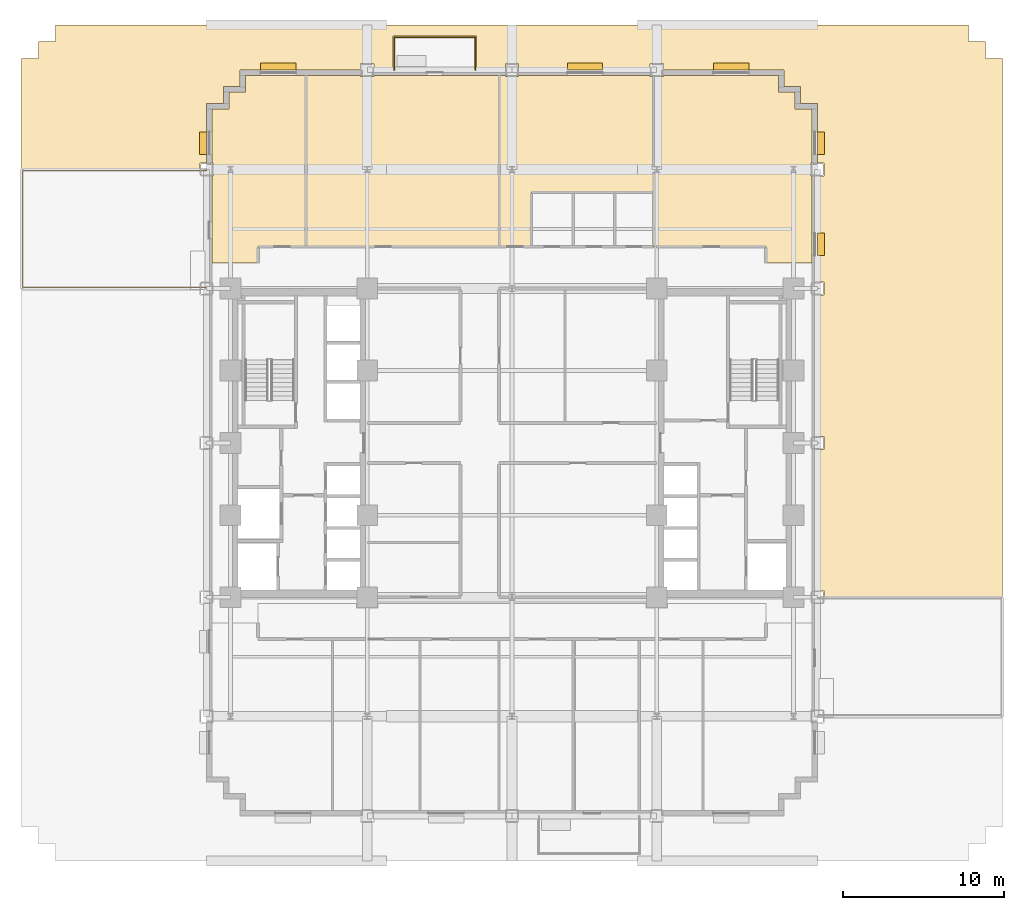
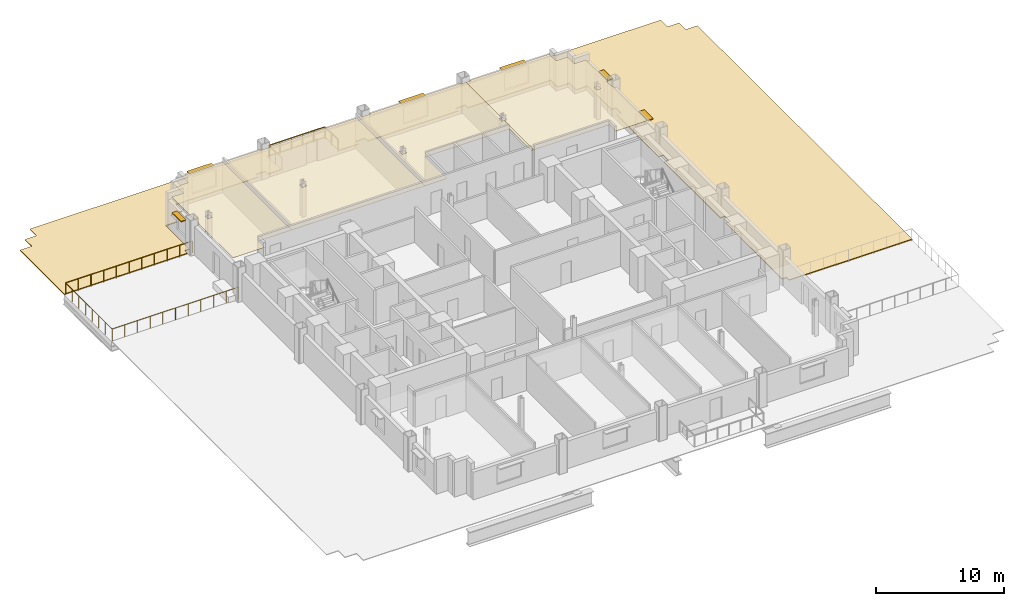
# One storey, part 13 of 13: 6 shading devices, 5 coverings, 2 railings.
"""IFC4 building model written with IfcOpenShell, lengths in metres."""

from ifc_helpers import new_model, si_unit, direction, frame, origin, origin_2d, place, context, subcontext, project, spatial, polyline, rectangle, circle, outline, extrude, source, transform, mapped, material, layer, layer_set, type_object, type_shapes, element, save


model = new_model("IFC4")

# Units and contexts
model_context = context("Model", 3, precision=1e-05, world=origin(), true_north=direction((0.0, 1.0)))
body_context = subcontext(model_context, "Body", "Model", "MODEL_VIEW")
ifc_project = project(units=[si_unit("LENGTHUNIT", "METRE"), si_unit("AREAUNIT", "SQUARE_METRE"), si_unit("VOLUMEUNIT", "CUBIC_METRE"), si_unit("PLANEANGLEUNIT", "RADIAN"), si_unit("MASSUNIT", "GRAM", prefix="KILO")], contexts=[model_context])

# Site, building, storey
site_placement = place(None, origin())
site = spatial("IfcSite", under=ifc_project, at=site_placement, CompositionType="ELEMENT")
building_placement = place(site_placement, origin())
building = spatial("IfcBuilding", under=site, at=building_placement, Name="Nuvemarco Arch Tower", CompositionType="ELEMENT")
storey_placement = place(building_placement, frame((0.0, 0.0, 27.60009765625)))
storey = spatial("IfcBuildingStorey", under=building, at=storey_placement, Name="L06", CompositionType="ELEMENT", Elevation=27.60009765625)

# Coverings
ifc_material_1 = material(Name="Mineral acoustic ceiling tile")
ifc_layer_1 = layer(ifc_material_1, 0.0400390625, Name="COV-ACOUSTIC-CLG")
ifc_layer_set_1 = layer_set([ifc_layer_1], Name="Mineral acoustic ceiling tile")
covering_type_1 = type_object("IfcCoveringType", Name="COV-ACOUSTIC-CLG", PredefinedType="CEILING", material=ifc_layer_set_1)
covering_1_placement = place(storey_placement, frame((0.0, 0.0, 2.849853515625)))
element("IfcCovering", 1, at=covering_1_placement, inside=storey, type_object=covering_type_1, Name="L06 suspended acoustic ceiling 1", PredefinedType="CEILING", context=body_context, shape_type="SweptSolid", body=[
    extrude(outline(polyline([(-9.4150390625, 22.784912109375), (-8.5849609375, 22.784912109375), (-8.5849609375, 22.860107421875), (-0.800048828125, 22.860107421875), (-0.800048828125, 12.199951171875), (-3.199951171875, 12.199951171875), (-12.81005859375, 12.199951171875), (-12.81005859375, 22.860107421875), (-9.4150390625, 22.860107421875), (-9.4150390625, 22.784912109375)]), holes=[polyline([(-8.804931640625, 16.804931640625), (-8.804931640625, 17.195068359375), (-9.195068359375, 17.195068359375), (-9.195068359375, 16.804931640625), (-8.804931640625, 16.804931640625)])]), origin(), (0.0, 0.0, 1.0), 0.0400390625),
])
covering_2_placement = place(storey_placement, frame((0.0, 0.0, 2.849853515625)))
element("IfcCovering", 2, at=covering_2_placement, inside=storey, type_object=covering_type_1, Name="L06 suspended acoustic ceiling 2", PredefinedType="CEILING", context=body_context, shape_type="SweptSolid", body=[
    extrude(outline(polyline([(18.659912109375, 20.760009765625), (18.659912109375, 17.4150390625), (18.5849609375, 17.4150390625), (18.5849609375, 16.5849609375), (18.659912109375, 16.5849609375), (18.659912109375, 11.199951171875), (15.800048828125, 11.199951171875), (15.800048828125, 12.199951171875), (9.0, 12.199951171875), (9.0, 16.804931640625), (9.195068359375, 16.804931640625), (9.195068359375, 17.195068359375), (9.0, 17.195068359375), (9.0, 22.784912109375), (9.4150390625, 22.784912109375), (9.4150390625, 22.860107421875), (16.56005859375, 22.860107421875), (16.56005859375, 21.81005859375), (17.610107421875, 21.81005859375), (17.610107421875, 20.760009765625), (18.659912109375, 20.760009765625)]), holes=[polyline([(17.695068359375, 16.804931640625), (17.695068359375, 17.195068359375), (17.304931640625, 17.195068359375), (17.304931640625, 16.804931640625), (17.695068359375, 16.804931640625)])]), origin(), (0.0, 0.0, 1.0), 0.0400390625),
])
covering_3_placement = place(storey_placement, frame((0.0, 0.0, 2.849853515625)))
element("IfcCovering", 3, at=covering_3_placement, inside=storey, type_object=covering_type_1, Name="L06 suspended acoustic ceiling 4", PredefinedType="CEILING", context=body_context, shape_type="SweptSolid", body=[
    extrude(outline(polyline([(1.199951171875, 15.60009765625), (1.199951171875, 12.199951171875), (-0.800048828125, 12.199951171875), (-0.800048828125, 22.860107421875), (-0.4150390625, 22.860107421875), (-0.4150390625, 22.784912109375), (0.4150390625, 22.784912109375), (0.4150390625, 22.860107421875), (8.5849609375, 22.860107421875), (8.5849609375, 22.784912109375), (9.0, 22.784912109375), (9.0, 17.195068359375), (8.804931640625, 17.195068359375), (8.804931640625, 16.804931640625), (9.0, 16.804931640625), (9.0, 12.199951171875), (8.800048828125, 12.199951171875), (8.800048828125, 15.60009765625), (6.39990234375, 15.60009765625), (3.800048828125, 15.60009765625), (1.199951171875, 15.60009765625)]), holes=[polyline([(0.195068359375, 16.804931640625), (0.195068359375, 17.195068359375), (-0.195068359375, 17.195068359375), (-0.195068359375, 16.804931640625), (0.195068359375, 16.804931640625)])]), origin(), (0.0, 0.0, 1.0), 0.0400390625),
])
covering_4_placement = place(storey_placement, frame((0.0, 0.0, 2.849853515625)))
element("IfcCovering", 4, at=covering_4_placement, inside=storey, type_object=covering_type_1, Name="L06 suspended acoustic ceiling 6", PredefinedType="CEILING", context=body_context, shape_type="SweptSolid", body=[
    extrude(outline(polyline([(-18.5849609375, 16.5849609375), (-18.5849609375, 17.4150390625), (-18.659912109375, 17.4150390625), (-18.659912109375, 20.760009765625), (-17.610107421875, 20.760009765625), (-17.610107421875, 21.81005859375), (-16.56005859375, 21.81005859375), (-16.56005859375, 22.860107421875), (-12.81005859375, 22.860107421875), (-12.81005859375, 12.199951171875), (-15.800048828125, 12.199951171875), (-15.800048828125, 11.199951171875), (-18.659912109375, 11.199951171875), (-18.659912109375, 16.5849609375), (-18.5849609375, 16.5849609375)]), holes=[polyline([(-17.304931640625, 16.804931640625), (-17.304931640625, 17.195068359375), (-17.695068359375, 17.195068359375), (-17.695068359375, 16.804931640625), (-17.304931640625, 16.804931640625)])]), origin(), (0.0, 0.0, 1.0), 0.0400390625),
])
ifc_material_2 = material(Name="Elastomeric roofing membrane and insulation")
ifc_layer_2 = layer(ifc_material_2, 0.080078125, Name="COV-ROOF-MEMB")
ifc_layer_set_2 = layer_set([ifc_layer_2], Name="Elastomeric roofing membrane and insulation")
covering_type_2 = type_object("IfcCoveringType", Name="COV-ROOF-MEMB", PredefinedType="ROOFING", material=ifc_layer_set_2)
covering_5_placement = place(storey_placement, origin())
element("IfcCovering", 5, at=covering_5_placement, inside=storey, type_object=covering_type_2, Name="L06 setback roof elastomeric membrane and insulation 1", PredefinedType="ROOFING", context=body_context, shape_type="SweptSolid", body=[
    extrude(outline(polyline([(-30.5, 23.89990234375), (-29.449951171875, 23.89990234375), (-29.449951171875, 24.949951171875), (-28.39990234375, 24.949951171875), (-28.39990234375, 26.0), (28.39990234375, 26.0), (28.39990234375, 24.949951171875), (29.449951171875, 24.949951171875), (29.449951171875, 23.89990234375), (30.5, 23.89990234375), (30.5, -9.60009765625), (19.409912109375, -9.60009765625), (19.409912109375, -9.18994140625), (19.0, -9.18994140625), (19.0, -0.409912109375), (19.409912109375, -0.409912109375), (19.409912109375, 0.409912109375), (19.0, 0.409912109375), (19.0, 9.18994140625), (19.409912109375, 9.18994140625), (19.409912109375, 10.010009765625), (19.0, 10.010009765625), (19.0, 16.590087890625), (19.409912109375, 16.590087890625), (19.409912109375, 17.409912109375), (19.0, 17.409912109375), (19.0, 21.10009765625), (17.949951171875, 21.10009765625), (17.949951171875, 22.14990234375), (16.89990234375, 22.14990234375), (16.89990234375, 23.199951171875), (9.409912109375, 23.199951171875), (9.409912109375, 23.610107421875), (8.590087890625, 23.610107421875), (8.590087890625, 23.199951171875), (0.409912109375, 23.199951171875), (0.409912109375, 23.610107421875), (-0.409912109375, 23.610107421875), (-0.409912109375, 23.199951171875), (-2.199951171875, 23.199951171875), (-2.199951171875, 25.300048828125), (-7.39990234375, 25.300048828125), (-7.39990234375, 23.199951171875), (-8.590087890625, 23.199951171875), (-8.590087890625, 23.610107421875), (-9.409912109375, 23.610107421875), (-9.409912109375, 23.199951171875), (-16.89990234375, 23.199951171875), (-16.89990234375, 22.14990234375), (-17.949951171875, 22.14990234375), (-17.949951171875, 21.10009765625), (-19.0, 21.10009765625), (-19.0, 17.409912109375), (-19.409912109375, 17.409912109375), (-19.409912109375, 17.0), (-30.5, 17.0), (-30.5, 23.89990234375)])), origin(), (0.0, 0.0, 1.0), 0.079833984375),
])

# Railings
ifc_material_3 = material(Name="Dark anodised balustrade steel S355", Category="steel")
railing_type_1 = type_object("IfcRailingType", Name="RL-SETBACK-GUARD", PredefinedType="BALUSTRADE", material=ifc_material_3)
railing_1_placement = place(storey_placement, frame((-19.0, 9.679931640625, 0.0)))
element("IfcRailing", 6, at=railing_1_placement, inside=storey, type_object=railing_type_1, Name="L06 setback terrace perimeter balustrade guard", PredefinedType="BALUSTRADE", context=body_context, shape_type="SweptSolid", body=[
    extrude(circle(Radius=0.02392578125, at=origin_2d()), frame((0.0, 0.0, 1.15576171875), z_axis=(-1.0, 0.0, 0.0), x_axis=(0.0, -1.0, 0.0)), (0.0, 0.0, 1.0), 11.419921875),
    extrude(circle(Radius=0.02392578125, at=origin_2d()), frame((-11.419921875, 0.0, 1.15576171875), z_axis=(0.0, 1.0, 0.0), x_axis=(-1.0, 0.0, 0.0)), (0.0, 0.0, 1.0), 7.239990234375),
    extrude(circle(Radius=0.02392578125, at=origin_2d()), frame((-11.419921875, 7.239990234375, 1.15576171875), z_axis=(1.0, 0.0, 0.0), x_axis=(0.0, 1.0, 0.0)), (0.0, 0.0, 1.0), 11.419921875),
    extrude(circle(Radius=0.02099609375, at=origin_2d()), origin(), (0.0, 0.0, 1.0), 1.1318359375),
    extrude(circle(Radius=0.02099609375, at=origin_2d()), frame((-1.14208984375, 0.0, 0.0)), (0.0, 0.0, 1.0), 1.1318359375),
    extrude(circle(Radius=0.02099609375, at=origin_2d()), frame((-2.283935546875, 0.0, 0.0)), (0.0, 0.0, 1.0), 1.1318359375),
    extrude(circle(Radius=0.02099609375, at=origin_2d()), frame((-3.426025390625, 0.0, 0.0)), (0.0, 0.0, 1.0), 1.1318359375),
    extrude(circle(Radius=0.02099609375, at=origin_2d()), frame((-4.56787109375, 0.0, 0.0)), (0.0, 0.0, 1.0), 1.1318359375),
    extrude(circle(Radius=0.02099609375, at=origin_2d()), frame((-5.7099609375, 0.0, 0.0)), (0.0, 0.0, 1.0), 1.1318359375),
    extrude(circle(Radius=0.02099609375, at=origin_2d()), frame((-6.85205078125, 0.0, 0.0)), (0.0, 0.0, 1.0), 1.1318359375),
    extrude(circle(Radius=0.02099609375, at=origin_2d()), frame((-7.993896484375, 0.0, 0.0)), (0.0, 0.0, 1.0), 1.1318359375),
    extrude(circle(Radius=0.02099609375, at=origin_2d()), frame((-9.135986328125, 0.0, 0.0)), (0.0, 0.0, 1.0), 1.1318359375),
    extrude(circle(Radius=0.02099609375, at=origin_2d()), frame((-10.27783203125, 0.0, 0.0)), (0.0, 0.0, 1.0), 1.1318359375),
    extrude(circle(Radius=0.02099609375, at=origin_2d()), frame((-11.419921875, 0.0, 0.0)), (0.0, 0.0, 1.0), 1.1318359375),
    extrude(circle(Radius=0.02099609375, at=origin_2d()), frame((-11.419921875, 1.0341796875, 0.0)), (0.0, 0.0, 1.0), 1.1318359375),
    extrude(circle(Radius=0.02099609375, at=origin_2d()), frame((-11.419921875, 2.068603515625, 0.0)), (0.0, 0.0, 1.0), 1.1318359375),
    extrude(circle(Radius=0.02099609375, at=origin_2d()), frame((-11.419921875, 3.102783203125, 0.0)), (0.0, 0.0, 1.0), 1.1318359375),
    extrude(circle(Radius=0.02099609375, at=origin_2d()), frame((-11.419921875, 4.13720703125, 0.0)), (0.0, 0.0, 1.0), 1.1318359375),
    extrude(circle(Radius=0.02099609375, at=origin_2d()), frame((-11.419921875, 5.17138671875, 0.0)), (0.0, 0.0, 1.0), 1.1318359375),
    extrude(circle(Radius=0.02099609375, at=origin_2d()), frame((-11.419921875, 6.205810546875, 0.0)), (0.0, 0.0, 1.0), 1.1318359375),
    extrude(circle(Radius=0.02099609375, at=origin_2d()), frame((-11.419921875, 7.239990234375, 0.0)), (0.0, 0.0, 1.0), 1.1318359375),
    extrude(circle(Radius=0.02099609375, at=origin_2d()), frame((-10.27783203125, 7.239990234375, 0.0)), (0.0, 0.0, 1.0), 1.1318359375),
    extrude(circle(Radius=0.02099609375, at=origin_2d()), frame((-9.135986328125, 7.239990234375, 0.0)), (0.0, 0.0, 1.0), 1.1318359375),
    extrude(circle(Radius=0.02099609375, at=origin_2d()), frame((-7.993896484375, 7.239990234375, 0.0)), (0.0, 0.0, 1.0), 1.1318359375),
    extrude(circle(Radius=0.02099609375, at=origin_2d()), frame((-6.85205078125, 7.239990234375, 0.0)), (0.0, 0.0, 1.0), 1.1318359375),
    extrude(circle(Radius=0.02099609375, at=origin_2d()), frame((-5.7099609375, 7.239990234375, 0.0)), (0.0, 0.0, 1.0), 1.1318359375),
    extrude(circle(Radius=0.02099609375, at=origin_2d()), frame((-4.56787109375, 7.239990234375, 0.0)), (0.0, 0.0, 1.0), 1.1318359375),
    extrude(circle(Radius=0.02099609375, at=origin_2d()), frame((-3.426025390625, 7.239990234375, 0.0)), (0.0, 0.0, 1.0), 1.1318359375),
    extrude(circle(Radius=0.02099609375, at=origin_2d()), frame((-2.283935546875, 7.239990234375, 0.0)), (0.0, 0.0, 1.0), 1.1318359375),
    extrude(circle(Radius=0.02099609375, at=origin_2d()), frame((-1.14208984375, 7.239990234375, 0.0)), (0.0, 0.0, 1.0), 1.1318359375),
    extrude(circle(Radius=0.02099609375, at=origin_2d()), frame((0.0, 7.239990234375, 0.0)), (0.0, 0.0, 1.0), 1.1318359375),
])
railing_type_2 = type_object("IfcRailingType", Name="RL-TERR-GUARD", PredefinedType="BALUSTRADE", material=ifc_material_3)
railing_2_placement = place(storey_placement, frame((-7.320068359375, 23.199951171875, 0.0)))
element("IfcRailing", 7, at=railing_2_placement, inside=storey, type_object=railing_type_2, Name="L06 tree balcony perimeter balustrade guard", PredefinedType="BALUSTRADE", context=body_context, shape_type="SweptSolid", body=[
    extrude(circle(Radius=0.02392578125, at=origin_2d()), frame((0.0, 0.0, 1.1259765625), z_axis=(0.0, 1.0, 0.0), x_axis=(-1.0, 0.0, 0.0)), (0.0, 0.0, 1.0), 2.02001953125),
    extrude(circle(Radius=0.02392578125, at=origin_2d()), frame((0.0, 2.02001953125, 1.1259765625), z_axis=(1.0, 0.0, 0.0), x_axis=(0.0, 1.0, 0.0)), (0.0, 0.0, 1.0), 5.0400390625),
    extrude(circle(Radius=0.02392578125, at=origin_2d()), frame((5.0400390625, 2.02001953125, 1.1259765625), z_axis=(0.0, -1.0, 0.0), x_axis=(1.0, 0.0, 0.0)), (0.0, 0.0, 1.0), 2.02001953125),
    extrude(circle(Radius=0.02099609375, at=origin_2d()), origin(), (0.0, 0.0, 1.0), 1.101806640625),
    extrude(circle(Radius=0.02099609375, at=origin_2d()), frame((0.0, 1.010009765625, 0.0)), (0.0, 0.0, 1.0), 1.101806640625),
    extrude(circle(Radius=0.02099609375, at=origin_2d()), frame((0.0, 2.02001953125, 0.0)), (0.0, 0.0, 1.0), 1.101806640625),
    extrude(circle(Radius=0.02099609375, at=origin_2d()), frame((1.008056640625, 2.02001953125, 0.0)), (0.0, 0.0, 1.0), 1.101806640625),
    extrude(circle(Radius=0.02099609375, at=origin_2d()), frame((2.01611328125, 2.02001953125, 0.0)), (0.0, 0.0, 1.0), 1.101806640625),
    extrude(circle(Radius=0.02099609375, at=origin_2d()), frame((3.02392578125, 2.02001953125, 0.0)), (0.0, 0.0, 1.0), 1.101806640625),
    extrude(circle(Radius=0.02099609375, at=origin_2d()), frame((4.031982421875, 2.02001953125, 0.0)), (0.0, 0.0, 1.0), 1.101806640625),
    extrude(circle(Radius=0.02099609375, at=origin_2d()), frame((5.0400390625, 2.02001953125, 0.0)), (0.0, 0.0, 1.0), 1.101806640625),
    extrude(circle(Radius=0.02099609375, at=origin_2d()), frame((5.0400390625, 1.010009765625, 0.0)), (0.0, 0.0, 1.0), 1.101806640625),
    extrude(circle(Radius=0.02099609375, at=origin_2d()), frame((5.0400390625, 0.0, 0.0)), (0.0, 0.0, 1.0), 1.101806640625),
])

# Shading devices
ifc_material_4 = material(Name="Anodised aluminium 6063-T6", Category="aluminium")
shading_device_type_1 = type_object("IfcShadingDeviceType", Name="SHD-BRISE-SOLEIL", PredefinedType="USERDEFINED", material=ifc_material_4)
shared_shape_1 = source(origin(), body_context, "Body", "SweptSolid", [
    extrude(rectangle(XDim=2.199951171875, YDim=0.449951171875, at=origin_2d()), origin(), (0.0, 0.0, 1.0), 0.080078125),
])
type_shapes(shading_device_type_1, [shared_shape_1])
for number, where, z_axis, x_axis, name in (
    (8, (-14.528564453125, 23.4150390625, 2.454833984375), (0.0, 0.0, 1.0), (1.0, 0.0, 0.0), "L06 horizontal brise-soleil sunshade"),
    (9, (4.54296875, 23.4150390625, 2.454833984375), (0.0, 0.0, 1.0), (1.0, 0.0, 0.0), "L06 horizontal brise-soleil sunshade"),
    (10, (13.628662109375, 23.4150390625, 2.454833984375), (0.0, 0.0, 1.0), (1.0, 0.0, 0.0), "L06 horizontal brise-soleil sunshade"),
):
    element("IfcShadingDevice", number, at=place(storey_placement, frame(where, z_axis=z_axis, x_axis=x_axis)), inside=storey, type_object=shading_device_type_1, Name=name, ObjectType="SUNSHADE", PredefinedType="USERDEFINED", context=body_context, shape_type="MappedRepresentation", body=[
        mapped(shared_shape_1, transform((0.0, 0.0, 0.0), scale=1.0)),
    ])
shading_device_type_2 = type_object("IfcShadingDeviceType", Name="SHD-BRISE-NARROW", PredefinedType="USERDEFINED", material=ifc_material_4)
shared_shape_2 = source(origin(), body_context, "Body", "SweptSolid", [
    extrude(rectangle(XDim=1.39990234375, YDim=0.449951171875, at=origin_2d()), origin(), (0.0, 0.0, 1.0), 0.080078125),
])
type_shapes(shading_device_type_2, [shared_shape_2])
for number, where, z_axis, x_axis, name in (
    (11, (19.215087890625, 12.3525390625, 2.454833984375), (0.0, 0.0, 1.0), (0.0, 1.0, 0.0), "L06 horizontal brise-soleil sunshade"),
    (12, (19.215087890625, 18.6435546875, 2.454833984375), (0.0, 0.0, 1.0), (0.0, 1.0, 0.0), "L06 horizontal brise-soleil sunshade"),
    (13, (-19.215087890625, 18.6435546875, 2.454833984375), (0.0, 0.0, 1.0), (0.0, 1.0, 0.0), "L06 horizontal brise-soleil sunshade"),
):
    element("IfcShadingDevice", number, at=place(storey_placement, frame(where, z_axis=z_axis, x_axis=x_axis)), inside=storey, type_object=shading_device_type_2, Name=name, ObjectType="SUNSHADE", PredefinedType="USERDEFINED", context=body_context, shape_type="MappedRepresentation", body=[
        mapped(shared_shape_2, transform((0.0, 0.0, 0.0), scale=1.0)),
    ])

save(model, "model.ifc")
